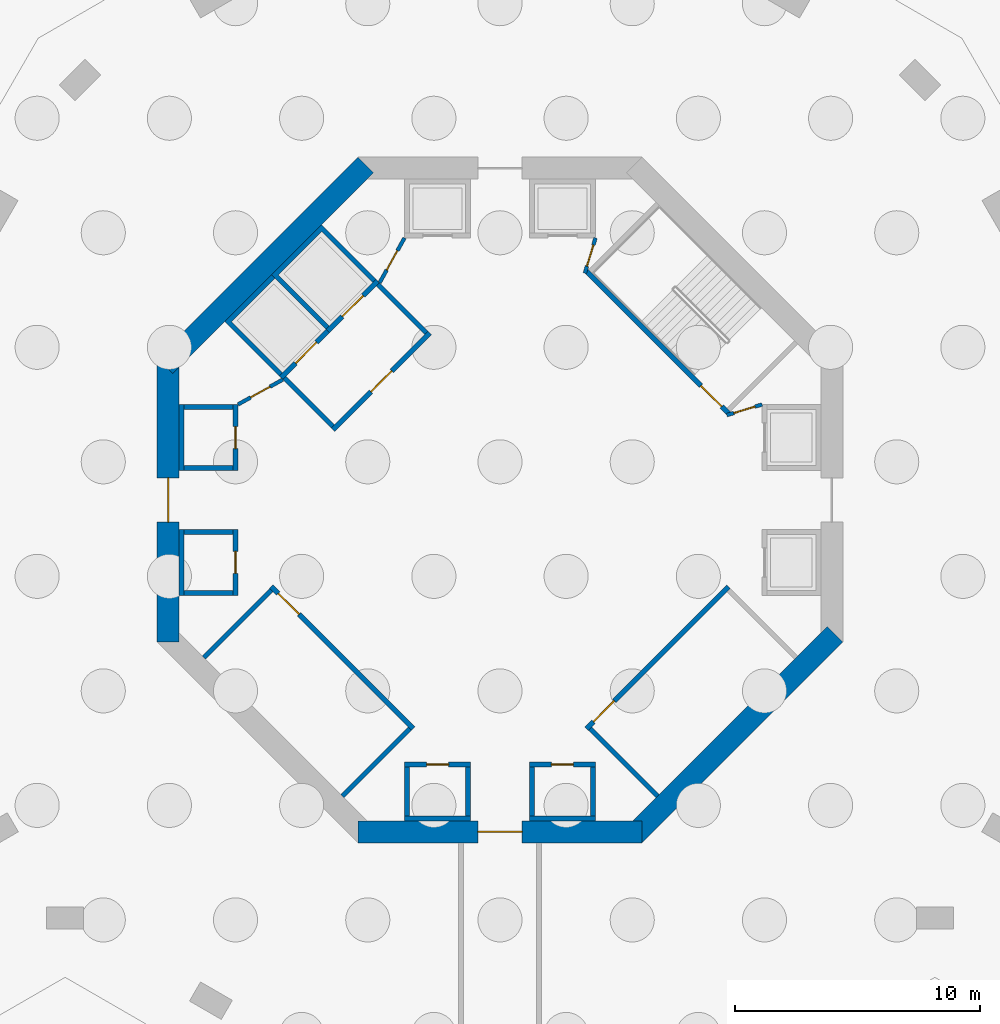
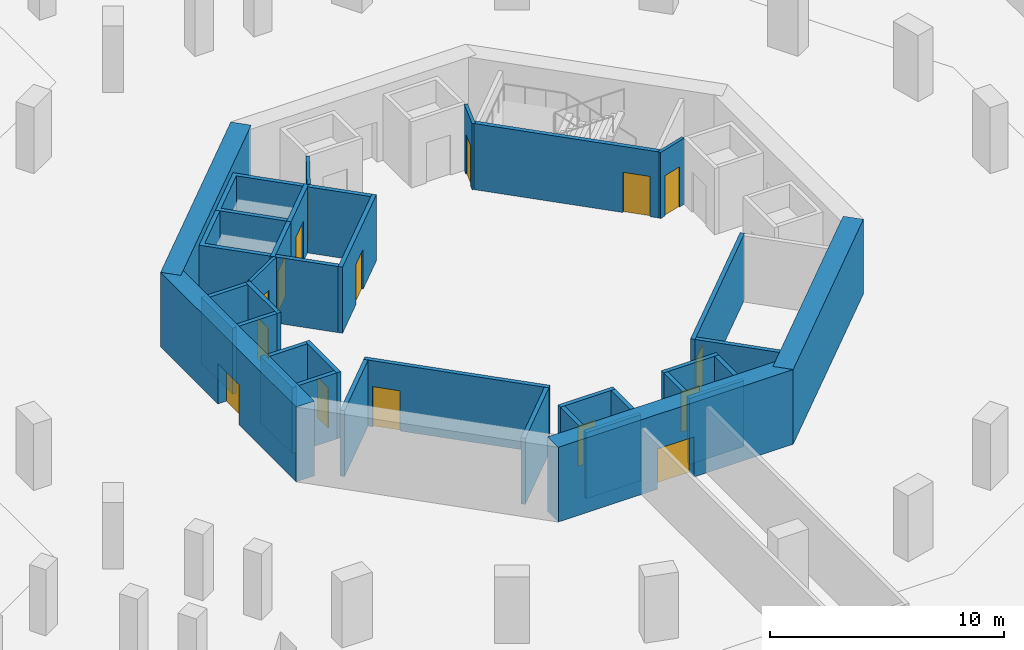
# One storey, part 8 of 27: 37 walls, 16 doors, 16 openings.
"""IFC4 building model written with IfcOpenShell, lengths in metres."""

import ifcopenshell
import ifcopenshell.guid

model = None  # the IFC model being written
_history = None  # IfcOwnerHistory: only IFC2X3 demands one
_inside = {}  # id of a spatial element -> (the spatial element, [elements in it])
_under = {}  # id of a project, library or spatial element -> (it, [spatial elements below it])
_declared = {}  # id of a project -> (the project, [libraries it declares])
_typed = {}  # id of a type object -> (the type object, [elements of that type])
_made_of = {}  # id of a material, layer set ... -> (it, [elements and type objects made of it])


def new_model(schema):
    """Start an empty IFC model of exactly this schema.

    Asked for "IFC4X3", IfcOpenShell would pick the latest addendum, in which some entities
    have other attributes; the version numbers below select the first issue.
    IFC2X3 requires an IfcOwnerHistory on every rooted entity: one is made here for all.
    """
    global model, _history
    if schema == "IFC4X3":
        model = ifcopenshell.file(schema_version=(4, 3, 0, 0))
    else:
        model = ifcopenshell.file(schema=schema)
    _inside.clear()
    _under.clear()
    _declared.clear()
    _typed.clear()
    _made_of.clear()
    _history = None
    if model.schema == "IFC2X3":
        org = make("IfcOrganization", Name="unknown")
        user = make(
            "IfcPersonAndOrganization",
            ThePerson=make("IfcPerson", FamilyName="unknown"),
            TheOrganization=org,
        )
        app = make(
            "IfcApplication",
            ApplicationDeveloper=org,
            Version="unknown",
            ApplicationFullName="unknown",
            ApplicationIdentifier="unknown",
        )
        _history = make(
            "IfcOwnerHistory",
            OwningUser=user,
            OwningApplication=app,
            ChangeAction="ADDED",
            CreationDate=0,
        )
    return model


def make(cls, **values):
    """One entity of the class cls with the attributes given. An attribute that is None is left unset."""
    return model.create_entity(
        cls, **{name: value for name, value in values.items() if value is not None}
    )


def rooted(cls, **values):
    """An entity with a GlobalId (a new one), such as an element, a storey or a relation."""
    return make(cls, GlobalId=ifcopenshell.guid.new(), OwnerHistory=_history, **values)


def si_unit(unit_type, name, prefix=None):
    """IfcSIUnit, for example si_unit("LENGTHUNIT", "METRE", prefix="MILLI")."""
    return make("IfcSIUnit", UnitType=unit_type, Prefix=prefix, Name=name)


def assignment(units):
    """IfcUnitAssignment: the units of a project."""
    return None if units is None else make("IfcUnitAssignment", Units=units)


def point(xyz):
    """IfcCartesianPoint."""
    return None if xyz is None else make("IfcCartesianPoint", Coordinates=xyz)


def direction(xyz):
    """IfcDirection."""
    return None if xyz is None else make("IfcDirection", DirectionRatios=xyz)


def frame(location, z_axis=None, x_axis=None):
    """IfcAxis2Placement3D, a coordinate frame: its origin and axes. An axis left out is left unset."""
    return make(
        "IfcAxis2Placement3D",
        Location=point(location),
        Axis=direction(z_axis),
        RefDirection=direction(x_axis),
    )


def frame_2d(location, x_axis=None):
    """IfcAxis2Placement2D, a coordinate frame in the plane: its origin and x axis."""
    return make(
        "IfcAxis2Placement2D", Location=point(location), RefDirection=direction(x_axis)
    )


def origin():
    """The frame at (0, 0, 0) with its axes left unset."""
    return frame((0.0, 0.0, 0.0))


def place(relative_to, where):
    """IfcLocalPlacement: puts the frame where relative to a parent placement (None: the world)."""
    return make(
        "IfcLocalPlacement", PlacementRelTo=relative_to, RelativePlacement=where
    )


def context(
    kind, dimensions, precision=None, world=None, true_north=None, identifier=None
):
    """IfcGeometricRepresentationContext, for example the 3D "Model" context."""
    return make(
        "IfcGeometricRepresentationContext",
        ContextIdentifier=identifier,
        ContextType=kind,
        CoordinateSpaceDimension=dimensions,
        Precision=precision,
        WorldCoordinateSystem=world,
        TrueNorth=true_north,
    )


def subcontext(parent, identifier, kind, view, scale=None):
    """IfcGeometricRepresentationSubContext, for example "Body" below "Model"."""
    return make(
        "IfcGeometricRepresentationSubContext",
        ContextIdentifier=identifier,
        ContextType=kind,
        ParentContext=parent,
        TargetScale=scale,
        TargetView=view,
    )


def project(units=None, contexts=None):
    """IfcProject with its units and contexts."""
    return rooted(
        "IfcProject",
        Name="project",
        RepresentationContexts=contexts,
        UnitsInContext=assignment(units),
    )


def spatial(cls, under=None, at=None, **own):
    """A site, building, storey or space (cls), placed at a placement, below another one or the project."""
    s = rooted(cls, ObjectPlacement=at, **own)
    if under is not None:
        _under.setdefault(under.id(), (under, []))[1].append(s)
    return s


def polyline(points):
    """IfcPolyline through the points."""
    return make("IfcPolyline", Points=[point(p) for p in points])


def profile(cls, at=None, kind="AREA", **sizes):
    """A parametric profile (cls). Its sizes go by their IFC names, for example OverallWidth=200.0."""
    return make(cls, ProfileType=kind, Position=at, **sizes)


def rectangle(**sizes):
    """IfcRectangleProfileDef."""
    return profile("IfcRectangleProfileDef", **sizes)


def outline(outer, holes=None, kind="AREA"):
    """IfcArbitraryClosedProfileDef: a profile drawn as a closed curve; with holes, ...WithVoids."""
    if holes is None:
        return make("IfcArbitraryClosedProfileDef", ProfileType=kind, OuterCurve=outer)
    return make(
        "IfcArbitraryProfileDefWithVoids",
        ProfileType=kind,
        OuterCurve=outer,
        InnerCurves=holes,
    )


def extrude(swept, where, along, depth):
    """IfcExtrudedAreaSolid: the profile swept, set in the frame where, extruded along a direction by depth."""
    return make(
        "IfcExtrudedAreaSolid",
        SweptArea=swept,
        Position=where,
        ExtrudedDirection=direction(along),
        Depth=depth,
    )


def shape(context_of_items, identifier, shape_type, items):
    """IfcShapeRepresentation: the items that make up one representation, for example the "Body"."""
    return make(
        "IfcShapeRepresentation",
        ContextOfItems=context_of_items,
        RepresentationIdentifier=identifier,
        RepresentationType=shape_type,
        Items=items,
    )


def material(Name=None, Category=None):
    """IfcMaterial."""
    return make("IfcMaterial", Name=Name, Category=Category)


def layer(
    of_material, thickness, ventilated=None, Name=None, Category=None, Priority=None
):
    """IfcMaterialLayer: one layer of a wall or slab, of a material (None: an air gap)."""
    return make(
        "IfcMaterialLayer",
        Material=of_material,
        LayerThickness=thickness,
        IsVentilated=ventilated,
        Name=Name,
        Category=Category,
        Priority=Priority,
    )


def layer_set(layers, Name=None):
    """IfcMaterialLayerSet."""
    return make("IfcMaterialLayerSet", MaterialLayers=layers, LayerSetName=Name)


def made_of(thing, what):
    """Note that an element or type object is made of a material, layer set ...; save() writes the relation."""
    if what is not None:
        _made_of.setdefault(what.id(), (what, []))[1].append(thing)
    return thing


def type_object(cls, material=None, **own):
    """A type object (cls), such as IfcWallType, which elements share."""
    return made_of(rooted(cls, **own), material)


def element(
    cls,
    number,
    at=None,
    inside=None,
    cuts=None,
    type_object=None,
    material=None,
    context=None,
    identifier="Body",
    shape_type=None,
    held_by="IfcProductDefinitionShape",
    body=None,
    shapes=None,
    **own,
):
    """One element of the class cls, such as IfcWall. Its Tag is "e" and its number.

    at: its placement. inside: the storey or other place that contains it. cuts: it is an
    opening in that element (IfcRelVoidsElement). A single representation is given by context,
    identifier, shape_type and body (its items); several are given by shapes. held_by: the class
    of the entity that holds the representations. save() writes the other relations.
    """
    e = rooted(cls, Tag="e%d" % number, ObjectPlacement=at, **own)
    if body is not None:
        shapes = [shape(context, identifier, shape_type, body)]
    if shapes is not None:
        e.Representation = make(held_by, Representations=shapes)
    if inside is not None:
        _inside.setdefault(inside.id(), (inside, []))[1].append(e)
    if cuts is not None:
        rooted(
            "IfcRelVoidsElement", RelatingBuildingElement=cuts, RelatedOpeningElement=e
        )
    if type_object is not None:
        _typed.setdefault(type_object.id(), (type_object, []))[1].append(e)
    return made_of(e, material)


def fill(opening, filler):
    """IfcRelFillsElement: the door or window that sits in an opening."""
    return rooted(
        "IfcRelFillsElement",
        RelatingOpeningElement=opening,
        RelatedBuildingElement=filler,
    )


def aggregate(whole, parts):
    """IfcRelAggregates: a whole, such as a stair, and the parts it consists of."""
    return rooted("IfcRelAggregates", RelatingObject=whole, RelatedObjects=parts)


def save(model, path):
    """Write the relations noted so far, then the file.

    IfcRelAggregates (storeys below a building ...), IfcRelContainedInSpatialStructure (elements
    in a storey), IfcRelDefinesByType, IfcRelAssociatesMaterial and IfcRelDeclares: one each for
    every whole, place, type object, material and project.
    """
    for whole, parts in _under.values():
        aggregate(whole, parts)
    for where, things in _inside.values():
        rooted(
            "IfcRelContainedInSpatialStructure",
            RelatedElements=things,
            RelatingStructure=where,
        )
    for kind, things in _typed.values():
        rooted("IfcRelDefinesByType", RelatedObjects=things, RelatingType=kind)
    for what, things in _made_of.values():
        rooted("IfcRelAssociatesMaterial", RelatedObjects=things, RelatingMaterial=what)
    for by, libraries in _declared.values():
        rooted("IfcRelDeclares", RelatingContext=by, RelatedDefinitions=libraries)
    model.write(path)


model = new_model("IFC4")

# Units and contexts
model_context = context("Model", 3, precision=1e-05, world=origin(), true_north=direction((0.0, 1.0)))
body_context = subcontext(model_context, "Body", "Model", "MODEL_VIEW")
ifc_project = project(units=[si_unit("LENGTHUNIT", "METRE"), si_unit("AREAUNIT", "SQUARE_METRE"), si_unit("VOLUMEUNIT", "CUBIC_METRE"), si_unit("PLANEANGLEUNIT", "RADIAN"), si_unit("MASSUNIT", "GRAM", prefix="KILO")], contexts=[model_context])

# Site, building, storey
site_placement = place(None, origin())
site = spatial("IfcSite", under=ifc_project, at=site_placement, CompositionType="ELEMENT")
building_placement = place(site_placement, origin())
building = spatial("IfcBuilding", under=site, at=building_placement, Name="Verdalira Terraces Hotel", CompositionType="ELEMENT")
storey_placement = place(building_placement, frame((0.0, 0.0, -11.699951)))
storey = spatial("IfcBuildingStorey", under=building, at=storey_placement, Name="B3", CompositionType="ELEMENT", Elevation=-11.699951171875)

# Walls
ifc_material_1 = material(Name="Concrete C50", Category="concrete")
ifc_layer_1 = layer(ifc_material_1, 0.199951171875)
ifc_layer_set_1 = layer_set([ifc_layer_1], Name="Core RC wall 200 C50")
wall_type_1 = type_object("IfcWallType", Name="Core RC wall 200 C50", PredefinedType="SOLIDWALL", material=ifc_layer_set_1)
wall_1_placement = place(storey_placement, origin())
element("IfcWall", 1, at=wall_1_placement, inside=storey, type_object=wall_type_1, Name="B3 store wall W1", PredefinedType="SOLIDWALL", context=body_context, shape_type="SweptSolid", body=[
    extrude(outline(polyline([(-10.899902, 1.199951), (-12.899902, 1.199951), (-12.899902, 1.399902), (-10.899902, 1.399902), (-10.899902, 1.199951)])), origin(), (0.0, 0.0, 1.0), 3.449951),
])
wall_2_placement = place(storey_placement, origin())
element("IfcWall", 2, at=wall_2_placement, inside=storey, type_object=wall_type_1, Name="B3 store wall W1", PredefinedType="SOLIDWALL", context=body_context, shape_type="SweptSolid", body=[
    extrude(outline(polyline([(-10.899902, 3.699951), (-12.899902, 3.699951), (-12.899902, 3.899902), (-10.899902, 3.899902), (-10.899902, 3.699951)])), origin(), (0.0, 0.0, 1.0), 3.449951),
])
wall_3_placement = place(storey_placement, origin())
element("IfcWall", 3, at=wall_3_placement, inside=storey, type_object=wall_type_1, Name="B3 store wall W1", PredefinedType="SOLIDWALL", context=body_context, shape_type="SweptSolid", body=[
    extrude(outline(polyline([(-12.899902, 1.199951), (-13.100098, 1.199951), (-13.100098, 3.899902), (-12.899902, 3.899902), (-12.899902, 1.199951)])), origin(), (0.0, 0.0, 1.0), 3.449951),
])

# Wall, opening, door
wall_4_placement = place(storey_placement, frame((-10.800049, 1.199951, 0.0), z_axis=(0.0, 0.0, 1.0), x_axis=(0.0, 1.0, 0.0)))
wall_4 = element("IfcWall", 4, at=wall_4_placement, inside=storey, type_object=wall_type_1, Name="B3 store front wall W1", PredefinedType="SOLIDWALL", context=body_context, shape_type="SweptSolid", body=[
    extrude(rectangle(XDim=2.699951, YDim=0.199951, at=frame_2d((1.350098, 0.0))), origin(), (0.0, 0.0, 1.0), 3.449951),
])
opening_1_placement = place(wall_4_placement, frame((0.899902, 0.0, 0.0)))
opening_1 = element("IfcOpeningElement", 5, at=opening_1_placement, cuts=wall_4, Name="Opening B3-801", PredefinedType="OPENING", context=body_context, shape_type="SweptSolid", body=[
    extrude(rectangle(XDim=0.899902, YDim=2.100098, at=frame_2d((0.449951, 1.050049))), frame((0.0, 0.109863, 0.0), z_axis=(0.0, -1.0, 0.0), x_axis=(1.0, 0.0, 0.0)), (0.0, 0.0, 1.0), 0.219971),
])
ifc_material_2 = material(Name="Steel fire door", Category="steel")
door_type_1 = type_object("IfcDoorType", Name="Core room door 900 x 2100", OperationType="NOTDEFINED", PredefinedType="DOOR", material=ifc_material_2)
door_1_placement = place(opening_1_placement, origin())
door_1 = element("IfcDoor", 6, at=door_1_placement, inside=storey, type_object=door_type_1, Name="Store door B3 W1", OperationType="SINGLE_SWING_LEFT", OverallHeight=2.10009765625, OverallWidth=0.89990234375, PredefinedType="DOOR", context=body_context, shape_type="SweptSolid", body=[
    extrude(rectangle(XDim=0.899902, YDim=2.100098, at=frame_2d((0.449951, 1.050049))), frame((0.0, 0.024902, 0.0), z_axis=(0.0, -1.0, 0.0), x_axis=(1.0, 0.0, 0.0)), (0.0, 0.0, 1.0), 0.050049),
])
fill(opening_1, door_1)

# Walls
wall_5_placement = place(storey_placement, origin())
element("IfcWall", 7, at=wall_5_placement, inside=storey, type_object=wall_type_1, Name="B3 store wall W2", PredefinedType="SOLIDWALL", context=body_context, shape_type="SweptSolid", body=[
    extrude(outline(polyline([(-10.899902, -1.199951), (-10.899902, -1.399902), (-12.899902, -1.399902), (-12.899902, -1.199951), (-10.899902, -1.199951)])), origin(), (0.0, 0.0, 1.0), 3.449951),
])
wall_6_placement = place(storey_placement, origin())
element("IfcWall", 8, at=wall_6_placement, inside=storey, type_object=wall_type_1, Name="B3 store wall W2", PredefinedType="SOLIDWALL", context=body_context, shape_type="SweptSolid", body=[
    extrude(outline(polyline([(-10.899902, -3.699951), (-10.899902, -3.899902), (-12.899902, -3.899902), (-12.899902, -3.699951), (-10.899902, -3.699951)])), origin(), (0.0, 0.0, 1.0), 3.449951),
])
wall_7_placement = place(storey_placement, origin())
element("IfcWall", 9, at=wall_7_placement, inside=storey, type_object=wall_type_1, Name="B3 store wall W2", PredefinedType="SOLIDWALL", context=body_context, shape_type="SweptSolid", body=[
    extrude(outline(polyline([(-12.899902, -1.199951), (-12.899902, -3.899902), (-13.100098, -3.899902), (-13.100098, -1.199951), (-12.899902, -1.199951)])), origin(), (0.0, 0.0, 1.0), 3.449951),
])

# Wall, opening, door
wall_8_placement = place(storey_placement, frame((-10.800049, -1.199951, 0.0), z_axis=(0.0, 0.0, 1.0), x_axis=(0.0, -1.0, 0.0)))
wall_8 = element("IfcWall", 10, at=wall_8_placement, inside=storey, type_object=wall_type_1, Name="B3 store front wall W2", PredefinedType="SOLIDWALL", context=body_context, shape_type="SweptSolid", body=[
    extrude(rectangle(XDim=2.699951, YDim=0.199951, at=frame_2d((1.350098, 0.0))), origin(), (0.0, 0.0, 1.0), 3.449951),
])
opening_2_placement = place(wall_8_placement, frame((0.899902, 0.0, 0.0)))
opening_2 = element("IfcOpeningElement", 11, at=opening_2_placement, cuts=wall_8, Name="Opening B3-802", PredefinedType="OPENING", context=body_context, shape_type="SweptSolid", body=[
    extrude(rectangle(XDim=0.899902, YDim=2.100098, at=frame_2d((0.449951, 1.050049))), frame((0.0, 0.109863, 0.0), z_axis=(0.0, -1.0, 0.0), x_axis=(1.0, 0.0, 0.0)), (0.0, 0.0, 1.0), 0.219971),
])
door_2_placement = place(opening_2_placement, origin())
door_2 = element("IfcDoor", 12, at=door_2_placement, inside=storey, type_object=door_type_1, Name="Store door B3 W2", OperationType="SINGLE_SWING_LEFT", OverallHeight=2.10009765625, OverallWidth=0.89990234375, PredefinedType="DOOR", context=body_context, shape_type="SweptSolid", body=[
    extrude(rectangle(XDim=0.899902, YDim=2.100098, at=frame_2d((0.449951, 1.050049))), frame((0.0, 0.024902, 0.0), z_axis=(0.0, -1.0, 0.0), x_axis=(1.0, 0.0, 0.0)), (0.0, 0.0, 1.0), 0.050049),
])
fill(opening_2, door_2)

# Walls
wall_9_placement = place(storey_placement, origin())
element("IfcWall", 13, at=wall_9_placement, inside=storey, type_object=wall_type_1, Name="B3 store wall S1", PredefinedType="SOLIDWALL", context=body_context, shape_type="SweptSolid", body=[
    extrude(outline(polyline([(-1.199951, -10.899902), (-1.199951, -12.899902), (-1.399902, -12.899902), (-1.399902, -10.899902), (-1.199951, -10.899902)])), origin(), (0.0, 0.0, 1.0), 3.449951),
])
wall_10_placement = place(storey_placement, origin())
element("IfcWall", 14, at=wall_10_placement, inside=storey, type_object=wall_type_1, Name="B3 store wall S1", PredefinedType="SOLIDWALL", context=body_context, shape_type="SweptSolid", body=[
    extrude(outline(polyline([(-3.699951, -10.899902), (-3.699951, -12.899902), (-3.899902, -12.899902), (-3.899902, -10.899902), (-3.699951, -10.899902)])), origin(), (0.0, 0.0, 1.0), 3.449951),
])
wall_11_placement = place(storey_placement, origin())
element("IfcWall", 15, at=wall_11_placement, inside=storey, type_object=wall_type_1, Name="B3 store wall S1", PredefinedType="SOLIDWALL", context=body_context, shape_type="SweptSolid", body=[
    extrude(outline(polyline([(-1.199951, -12.899902), (-1.199951, -13.100098), (-3.899902, -13.100098), (-3.899902, -12.899902), (-1.199951, -12.899902)])), origin(), (0.0, 0.0, 1.0), 3.449951),
])

# Wall, opening, door
wall_12_placement = place(storey_placement, frame((-1.199951, -10.800049, 0.0), z_axis=(0.0, 0.0, 1.0), x_axis=(-1.0, 0.0, 0.0)))
wall_12 = element("IfcWall", 16, at=wall_12_placement, inside=storey, type_object=wall_type_1, Name="B3 store front wall S1", PredefinedType="SOLIDWALL", context=body_context, shape_type="SweptSolid", body=[
    extrude(rectangle(XDim=2.699951, YDim=0.199951, at=frame_2d((1.350098, 0.0))), origin(), (0.0, 0.0, 1.0), 3.449951),
])
opening_3_placement = place(wall_12_placement, frame((0.899902, 0.0, 0.0)))
opening_3 = element("IfcOpeningElement", 17, at=opening_3_placement, cuts=wall_12, Name="Opening B3-803", PredefinedType="OPENING", context=body_context, shape_type="SweptSolid", body=[
    extrude(rectangle(XDim=0.899902, YDim=2.100098, at=frame_2d((0.449951, 1.050049))), frame((0.0, 0.109863, 0.0), z_axis=(0.0, -1.0, 0.0), x_axis=(1.0, 0.0, 0.0)), (0.0, 0.0, 1.0), 0.219971),
])
door_3_placement = place(opening_3_placement, origin())
door_3 = element("IfcDoor", 18, at=door_3_placement, inside=storey, type_object=door_type_1, Name="Store door B3 S1", OperationType="SINGLE_SWING_LEFT", OverallHeight=2.10009765625, OverallWidth=0.89990234375, PredefinedType="DOOR", context=body_context, shape_type="SweptSolid", body=[
    extrude(rectangle(XDim=0.899902, YDim=2.100098, at=frame_2d((0.449951, 1.050049))), frame((0.0, 0.024902, 0.0), z_axis=(0.0, -1.0, 0.0), x_axis=(1.0, 0.0, 0.0)), (0.0, 0.0, 1.0), 0.050049),
])
fill(opening_3, door_3)

# Walls
wall_13_placement = place(storey_placement, origin())
element("IfcWall", 19, at=wall_13_placement, inside=storey, type_object=wall_type_1, Name="B3 store wall S2", PredefinedType="SOLIDWALL", context=body_context, shape_type="SweptSolid", body=[
    extrude(outline(polyline([(1.199951, -10.899902), (1.399902, -10.899902), (1.399902, -12.899902), (1.199951, -12.899902), (1.199951, -10.899902)])), origin(), (0.0, 0.0, 1.0), 3.449951),
])
wall_14_placement = place(storey_placement, origin())
element("IfcWall", 20, at=wall_14_placement, inside=storey, type_object=wall_type_1, Name="B3 store wall S2", PredefinedType="SOLIDWALL", context=body_context, shape_type="SweptSolid", body=[
    extrude(outline(polyline([(3.699951, -10.899902), (3.899902, -10.899902), (3.899902, -12.899902), (3.699951, -12.899902), (3.699951, -10.899902)])), origin(), (0.0, 0.0, 1.0), 3.449951),
])
wall_15_placement = place(storey_placement, origin())
element("IfcWall", 21, at=wall_15_placement, inside=storey, type_object=wall_type_1, Name="B3 store wall S2", PredefinedType="SOLIDWALL", context=body_context, shape_type="SweptSolid", body=[
    extrude(outline(polyline([(1.199951, -12.899902), (3.899902, -12.899902), (3.899902, -13.100098), (1.199951, -13.100098), (1.199951, -12.899902)])), origin(), (0.0, 0.0, 1.0), 3.449951),
])

# Wall, opening, door
wall_16_placement = place(storey_placement, frame((1.199951, -10.800049, 0.0), z_axis=(0.0, 0.0, 1.0), x_axis=(1.0, 0.0, 0.0)))
wall_16 = element("IfcWall", 22, at=wall_16_placement, inside=storey, type_object=wall_type_1, Name="B3 store front wall S2", PredefinedType="SOLIDWALL", context=body_context, shape_type="SweptSolid", body=[
    extrude(rectangle(XDim=2.699951, YDim=0.199951, at=frame_2d((1.350098, 0.0))), origin(), (0.0, 0.0, 1.0), 3.449951),
])
opening_4_placement = place(wall_16_placement, frame((0.899902, 0.0, 0.0)))
opening_4 = element("IfcOpeningElement", 23, at=opening_4_placement, cuts=wall_16, Name="Opening B3-804", PredefinedType="OPENING", context=body_context, shape_type="SweptSolid", body=[
    extrude(rectangle(XDim=0.899902, YDim=2.100098, at=frame_2d((0.449951, 1.050049))), frame((0.0, 0.109863, 0.0), z_axis=(0.0, -1.0, 0.0), x_axis=(1.0, 0.0, 0.0)), (0.0, 0.0, 1.0), 0.219971),
])
door_4_placement = place(opening_4_placement, origin())
door_4 = element("IfcDoor", 24, at=door_4_placement, inside=storey, type_object=door_type_1, Name="Store door B3 S2", OperationType="SINGLE_SWING_LEFT", OverallHeight=2.10009765625, OverallWidth=0.89990234375, PredefinedType="DOOR", context=body_context, shape_type="SweptSolid", body=[
    extrude(rectangle(XDim=0.899902, YDim=2.100098, at=frame_2d((0.449951, 1.050049))), frame((0.0, 0.024902, 0.0), z_axis=(0.0, -1.0, 0.0), x_axis=(1.0, 0.0, 0.0)), (0.0, 0.0, 1.0), 0.050049),
])
fill(opening_4, door_4)

# Wall
wall_17_placement = place(storey_placement, origin())
element("IfcWall", 25, at=wall_17_placement, inside=storey, type_object=wall_type_1, Name="B3 shaft wall F1", PredefinedType="SOLIDWALL", context=body_context, shape_type="SweptSolid", body=[
    extrude(outline(polyline([(-9.33374, 9.192383), (-7.283203, 11.24292), (-5.055908, 9.015625), (-5.197266, 8.874268), (-7.283203, 10.960205), (-9.051025, 9.192383), (-6.965088, 7.106445), (-7.106445, 6.965088), (-9.33374, 9.192383)])), origin(), (0.0, 0.0, 1.0), 3.449951),
])

# Wall, opening, door
wall_18_placement = place(storey_placement, frame((-4.985107, 8.944824, 0.0), z_axis=(0.0, 0.0, 1.0), x_axis=(-0.707106781, -0.707106781, 0.0)))
wall_18 = element("IfcWall", 26, at=wall_18_placement, inside=storey, type_object=wall_type_1, Name="B3 shaft front wall F1", PredefinedType="SOLIDWALL", context=body_context, shape_type="SweptSolid", body=[
    extrude(rectangle(XDim=2.899902, YDim=0.199951, at=frame_2d((1.449951, 0.0))), origin(), (0.0, 0.0, 1.0), 3.449951),
])
opening_5_placement = place(wall_18_placement, frame((0.850098, 0.0, 0.0)))
opening_5 = element("IfcOpeningElement", 27, at=opening_5_placement, cuts=wall_18, Name="Opening LD-B3-809", PredefinedType="OPENING", context=body_context, shape_type="SweptSolid", body=[
    extrude(rectangle(XDim=1.199951, YDim=2.100098, at=frame_2d((0.600098, 1.050049))), frame((0.0, 0.109863, 0.0), z_axis=(0.0, -1.0, 0.0), x_axis=(1.0, 0.0, 0.0)), (0.0, 0.0, 1.0), 0.219971),
])
ifc_material_3 = material(Name="Stainless steel", Category="steel")
door_type_2 = type_object("IfcDoorType", Name="Landing door 1200 x 2100", OperationType="NOTDEFINED", PredefinedType="DOOR", material=ifc_material_3)
door_5_placement = place(opening_5_placement, origin())
door_5 = element("IfcDoor", 28, at=door_5_placement, inside=storey, type_object=door_type_2, Name="Lift landing door LF11 B3", OperationType="DOUBLE_DOOR_SLIDING", OverallHeight=2.10009765625, OverallWidth=1.199951171875, PredefinedType="DOOR", context=body_context, shape_type="SweptSolid", body=[
    extrude(rectangle(XDim=1.199951, YDim=2.100098, at=frame_2d((0.600098, 1.050049))), frame((0.0, 0.024902, 0.0), z_axis=(0.0, -1.0, 0.0), x_axis=(1.0, 0.0, 0.0)), (0.0, 0.0, 1.0), 0.050049),
])
fill(opening_5, door_5)

# Wall
wall_19_placement = place(storey_placement, origin())
element("IfcWall", 29, at=wall_19_placement, inside=storey, type_object=wall_type_1, Name="B3 shaft wall F2", PredefinedType="SOLIDWALL", context=body_context, shape_type="SweptSolid", body=[
    extrude(outline(polyline([(-11.24292, 7.283203), (-9.33374, 9.192383), (-9.192383, 9.051025), (-10.960205, 7.283203), (-8.874268, 5.197266), (-9.015625, 5.055908), (-11.24292, 7.283203)])), origin(), (0.0, 0.0, 1.0), 3.449951),
])

# Wall, opening, door
wall_20_placement = place(storey_placement, frame((-7.035645, 6.894287, 0.0), z_axis=(0.0, 0.0, 1.0), x_axis=(-0.707106781, -0.707106781, 0.0)))
wall_20 = element("IfcWall", 30, at=wall_20_placement, inside=storey, type_object=wall_type_1, Name="B3 shaft front wall F2", PredefinedType="SOLIDWALL", context=body_context, shape_type="SweptSolid", body=[
    extrude(rectangle(XDim=2.699951, YDim=0.199951, at=frame_2d((1.350098, 0.0))), origin(), (0.0, 0.0, 1.0), 3.449951),
])
opening_6_placement = place(wall_20_placement, frame((0.649902, 0.0, 0.0)))
opening_6 = element("IfcOpeningElement", 31, at=opening_6_placement, cuts=wall_20, Name="Opening LD-B3-810", PredefinedType="OPENING", context=body_context, shape_type="SweptSolid", body=[
    extrude(rectangle(XDim=1.199951, YDim=2.100098, at=frame_2d((0.600098, 1.050049))), frame((0.0, 0.109863, 0.0), z_axis=(0.0, -1.0, 0.0), x_axis=(1.0, 0.0, 0.0)), (0.0, 0.0, 1.0), 0.219971),
])
door_6_placement = place(opening_6_placement, origin())
door_6 = element("IfcDoor", 32, at=door_6_placement, inside=storey, type_object=door_type_2, Name="Lift landing door LF12 B3", OperationType="DOUBLE_DOOR_SLIDING", OverallHeight=2.10009765625, OverallWidth=1.199951171875, PredefinedType="DOOR", context=body_context, shape_type="SweptSolid", body=[
    extrude(rectangle(XDim=1.199951, YDim=2.100098, at=frame_2d((0.600098, 1.050049))), frame((0.0, 0.024902, 0.0), z_axis=(0.0, -1.0, 0.0), x_axis=(1.0, 0.0, 0.0)), (0.0, 0.0, 1.0), 0.050049),
])
fill(opening_6, door_6)

wall_21_placement = place(storey_placement, frame((3.5354, 9.33374, 0.0), z_axis=(0.0, 0.0, 1.0), x_axis=(0.707106781, -0.707106781, 0.0)))
wall_21 = element("IfcWall", 33, at=wall_21_placement, inside=storey, type_object=wall_type_1, Name="B3 stair ST1 front wall", PredefinedType="SOLIDWALL", context=body_context, shape_type="SweptSolid", body=[
    extrude(rectangle(XDim=8.200195, YDim=0.199951, at=frame_2d((4.100098, 0.0))), origin(), (0.0, 0.0, 1.0), 3.449951),
])
opening_7_placement = place(wall_21_placement, frame((6.600098, 0.0, 0.0)))
opening_7 = element("IfcOpeningElement", 34, at=opening_7_placement, cuts=wall_21, Name="Opening B3-811", PredefinedType="OPENING", context=body_context, shape_type="SweptSolid", body=[
    extrude(rectangle(XDim=1.199951, YDim=2.100098, at=frame_2d((0.600098, 1.050049))), frame((0.0, 0.109863, 0.0), z_axis=(0.0, -1.0, 0.0), x_axis=(1.0, 0.0, 0.0)), (0.0, 0.0, 1.0), 0.219971),
])
ifc_material_4 = material(Name="Steel fire door", Category="steel")
door_type_3 = type_object("IfcDoorType", Name="Stair door 1200 x 2100", OperationType="NOTDEFINED", PredefinedType="DOOR", material=ifc_material_4)
door_7_placement = place(opening_7_placement, origin())
door_7 = element("IfcDoor", 35, at=door_7_placement, inside=storey, type_object=door_type_3, Name="Stair door ST1 B3", OperationType="SINGLE_SWING_RIGHT", OverallHeight=2.10009765625, OverallWidth=1.199951171875, PredefinedType="DOOR", context=body_context, shape_type="SweptSolid", body=[
    extrude(rectangle(XDim=1.199951, YDim=2.100098, at=frame_2d((0.600098, 1.050049))), frame((0.0, 0.024902, 0.0), z_axis=(0.0, -1.0, 0.0), x_axis=(1.0, 0.0, 0.0)), (0.0, 0.0, 1.0), 0.050049),
])
fill(opening_7, door_7)

wall_22_placement = place(storey_placement, frame((-3.5354, -9.33374, 0.0), z_axis=(0.0, 0.0, 1.0), x_axis=(-0.707106781, 0.707106781, 0.0)))
wall_22 = element("IfcWall", 36, at=wall_22_placement, inside=storey, type_object=wall_type_1, Name="B3 ST2 plant room wall", PredefinedType="SOLIDWALL", context=body_context, shape_type="SweptSolid", body=[
    extrude(rectangle(XDim=8.200195, YDim=0.199951, at=frame_2d((4.100098, 0.0))), origin(), (0.0, 0.0, 1.0), 3.449951),
])
opening_8_placement = place(wall_22_placement, frame((6.600098, 0.0, 0.0)))
opening_8 = element("IfcOpeningElement", 37, at=opening_8_placement, cuts=wall_22, Name="Opening B3-812", PredefinedType="OPENING", context=body_context, shape_type="SweptSolid", body=[
    extrude(rectangle(XDim=1.199951, YDim=2.100098, at=frame_2d((0.600098, 1.050049))), frame((0.0, 0.109863, 0.0), z_axis=(0.0, -1.0, 0.0), x_axis=(1.0, 0.0, 0.0)), (0.0, 0.0, 1.0), 0.219971),
])
door_8_placement = place(opening_8_placement, origin())
door_8 = element("IfcDoor", 38, at=door_8_placement, inside=storey, type_object=door_type_1, Name="Plant room door B3 ST2", OperationType="SINGLE_SWING_RIGHT", OverallHeight=2.10009765625, OverallWidth=1.199951171875, PredefinedType="DOOR", context=body_context, shape_type="SweptSolid", body=[
    extrude(rectangle(XDim=1.199951, YDim=2.100098, at=frame_2d((0.600098, 1.050049))), frame((0.0, 0.024902, 0.0), z_axis=(0.0, -1.0, 0.0), x_axis=(1.0, 0.0, 0.0)), (0.0, 0.0, 1.0), 0.050049),
])
fill(opening_8, door_8)

# Walls
for number, where, z_axis, x_axis, name in (
    (39, (-9.33374, -3.677002, 0.0), (0.0, 0.0, 1.0), (-0.707106781, -0.707106781, 0.0), "B3 ST2 plant room wall"),
    (40, (-3.677002, -9.33374, 0.0), (0.0, 0.0, 1.0), (-0.707106781, -0.707106781, 0.0), "B3 ST2 plant room wall"),
):
    element("IfcWall", number, at=place(storey_placement, frame(where, z_axis=z_axis, x_axis=x_axis)), inside=storey, type_object=wall_type_1, Name=name, PredefinedType="SOLIDWALL", context=body_context, shape_type="SweptSolid", body=[
        extrude(rectangle(XDim=3.900146, YDim=0.199951, at=frame_2d((1.950195, 0.0))), origin(), (0.0, 0.0, 1.0), 3.449951),
    ])

# Wall, opening, door
wall_23_placement = place(storey_placement, frame((9.33374, -3.5354, 0.0), z_axis=(0.0, 0.0, 1.0), x_axis=(-0.707106781, -0.707106781, 0.0)))
wall_23 = element("IfcWall", 41, at=wall_23_placement, inside=storey, type_object=wall_type_1, Name="B3 ST3 plant room wall", PredefinedType="SOLIDWALL", context=body_context, shape_type="SweptSolid", body=[
    extrude(rectangle(XDim=8.200195, YDim=0.199951, at=frame_2d((4.100098, 0.0))), origin(), (0.0, 0.0, 1.0), 3.449951),
])
opening_9_placement = place(wall_23_placement, frame((6.600098, 0.0, 0.0)))
opening_9 = element("IfcOpeningElement", 42, at=opening_9_placement, cuts=wall_23, Name="Opening B3-813", PredefinedType="OPENING", context=body_context, shape_type="SweptSolid", body=[
    extrude(rectangle(XDim=1.199951, YDim=2.100098, at=frame_2d((0.600098, 1.050049))), frame((0.0, 0.109863, 0.0), z_axis=(0.0, -1.0, 0.0), x_axis=(1.0, 0.0, 0.0)), (0.0, 0.0, 1.0), 0.219971),
])
door_9_placement = place(opening_9_placement, origin())
door_9 = element("IfcDoor", 43, at=door_9_placement, inside=storey, type_object=door_type_1, Name="Plant room door B3 ST3", OperationType="SINGLE_SWING_RIGHT", OverallHeight=2.10009765625, OverallWidth=1.199951171875, PredefinedType="DOOR", context=body_context, shape_type="SweptSolid", body=[
    extrude(rectangle(XDim=1.199951, YDim=2.100098, at=frame_2d((0.600098, 1.050049))), frame((0.0, 0.024902, 0.0), z_axis=(0.0, -1.0, 0.0), x_axis=(1.0, 0.0, 0.0)), (0.0, 0.0, 1.0), 0.050049),
])
fill(opening_9, door_9)

# Wall
wall_24_placement = place(storey_placement, frame((3.677002, -9.33374, 0.0), z_axis=(0.0, 0.0, 1.0), x_axis=(0.707106781, -0.707106781, 0.0)))
element("IfcWall", 44, at=wall_24_placement, inside=storey, type_object=wall_type_1, Name="B3 ST3 plant room wall", PredefinedType="SOLIDWALL", context=body_context, shape_type="SweptSolid", body=[
    extrude(rectangle(XDim=3.900146, YDim=0.199951, at=frame_2d((1.950195, 0.0))), origin(), (0.0, 0.0, 1.0), 3.449951),
])

# Wall, opening, door
wall_25_placement = place(storey_placement, frame((-2.86377, 6.823486, 0.0), z_axis=(0.0, 0.0, 1.0), x_axis=(-0.707106781, -0.707106781, 0.0)))
wall_25 = element("IfcWall", 45, at=wall_25_placement, inside=storey, type_object=wall_type_1, Name="B3 fire lobby wall", PredefinedType="SOLIDWALL", context=body_context, shape_type="SweptSolid", body=[
    extrude(rectangle(XDim=5.599854, YDim=0.199951, at=frame_2d((2.799805, 0.0))), origin(), (0.0, 0.0, 1.0), 3.449951),
])
opening_10_placement = place(wall_25_placement, frame((2.199951, 0.0, 0.0)))
opening_10 = element("IfcOpeningElement", 46, at=opening_10_placement, cuts=wall_25, Name="Opening B3-818", PredefinedType="OPENING", context=body_context, shape_type="SweptSolid", body=[
    extrude(rectangle(XDim=1.199951, YDim=2.100098, at=frame_2d((0.600098, 1.050049))), frame((0.0, 0.109863, 0.0), z_axis=(0.0, -1.0, 0.0), x_axis=(1.0, 0.0, 0.0)), (0.0, 0.0, 1.0), 0.219971),
])
ifc_material_5 = material(Name="Steel fire door", Category="steel")
door_type_4 = type_object("IfcDoorType", Name="Lobby door 1200 x 2100", OperationType="NOTDEFINED", PredefinedType="DOOR", material=ifc_material_5)
door_10_placement = place(opening_10_placement, origin())
door_10 = element("IfcDoor", 47, at=door_10_placement, inside=storey, type_object=door_type_4, Name="Fire lobby door B3", OperationType="SINGLE_SWING_LEFT", OverallHeight=2.10009765625, OverallWidth=1.199951171875, PredefinedType="DOOR", context=body_context, shape_type="SweptSolid", body=[
    extrude(rectangle(XDim=1.199951, YDim=2.100098, at=frame_2d((0.600098, 1.050049))), frame((0.0, 0.024902, 0.0), z_axis=(0.0, -1.0, 0.0), x_axis=(1.0, 0.0, 0.0)), (0.0, 0.0, 1.0), 0.050049),
])
fill(opening_10, door_10)

# Walls
for number, where, z_axis, x_axis, name in (
    (48, (-3.005127, 6.823486, 0.0), (0.0, 0.0, 1.0), (-0.707106781, 0.707106781, 0.0), "B3 fire lobby wall"),
    (49, (-6.823486, 3.005127, 0.0), (0.0, 0.0, 1.0), (-0.707106781, 0.707106781, 0.0), "B3 fire lobby wall"),
):
    element("IfcWall", number, at=place(storey_placement, frame(where, z_axis=z_axis, x_axis=x_axis)), inside=storey, type_object=wall_type_1, Name=name, PredefinedType="SOLIDWALL", context=body_context, shape_type="SweptSolid", body=[
        extrude(rectangle(XDim=2.800049, YDim=0.199951, at=frame_2d((1.399902, 0.0))), origin(), (0.0, 0.0, 1.0), 3.449951),
    ])

# Wall, opening, door
ifc_material_6 = material(Name="Gypsum board partition")
ifc_layer_2 = layer(ifc_material_6, 0.14990234375)
ifc_layer_set_2 = layer_set([ifc_layer_2], Name="Core partition 150 mm")
wall_type_2 = type_object("IfcWallType", Name="Core partition 150 mm", PredefinedType="PARTITIONING", material=ifc_layer_set_2)
wall_26_placement = place(storey_placement, frame((10.699951, 3.899902, 0.0), z_axis=(0.0, 0.0, 1.0), x_axis=(-0.957084567, -0.289808785, 0.0)))
wall_26 = element("IfcWall", 50, at=wall_26_placement, inside=storey, type_object=wall_type_2, Name="Room partition B3", PredefinedType="PARTITIONING", context=body_context, shape_type="SweptSolid", body=[
    extrude(rectangle(XDim=1.501221, YDim=0.149902, at=frame_2d((0.750488, 0.0))), origin(), (0.0, 0.0, 1.0), 3.449951),
])
opening_11_placement = place(wall_26_placement, frame((0.300781, 0.0, 0.0)))
opening_11 = element("IfcOpeningElement", 51, at=opening_11_placement, cuts=wall_26, Name="Opening B3-819", PredefinedType="OPENING", context=body_context, shape_type="SweptSolid", body=[
    extrude(rectangle(XDim=0.899902, YDim=2.100098, at=frame_2d((0.449951, 1.050049))), frame((0.0, 0.084961, 0.0), z_axis=(0.0, -1.0, 0.0), x_axis=(1.0, 0.0, 0.0)), (0.0, 0.0, 1.0), 0.169922),
])
door_11_placement = place(opening_11_placement, origin())
door_11 = element("IfcDoor", 52, at=door_11_placement, inside=storey, type_object=door_type_1, Name="Door B3 room0", OperationType="SINGLE_SWING_LEFT", OverallHeight=2.10009765625, OverallWidth=0.89990234375, PredefinedType="DOOR", context=body_context, shape_type="SweptSolid", body=[
    extrude(rectangle(XDim=0.899902, YDim=2.100098, at=frame_2d((0.449951, 1.050049))), frame((0.0, 0.024902, 0.0), z_axis=(0.0, -1.0, 0.0), x_axis=(1.0, 0.0, 0.0)), (0.0, 0.0, 1.0), 0.050049),
])
fill(opening_11, door_11)

wall_27_placement = place(storey_placement, frame((3.464844, 9.263184, 0.0), z_axis=(0.0, 0.0, 1.0), x_axis=(0.289808785, 0.957084567, 0.0)))
wall_27 = element("IfcWall", 53, at=wall_27_placement, inside=storey, type_object=wall_type_2, Name="Room partition B3", PredefinedType="PARTITIONING", context=body_context, shape_type="SweptSolid", body=[
    extrude(rectangle(XDim=1.501221, YDim=0.149902, at=frame_2d((0.750488, 0.0))), origin(), (0.0, 0.0, 1.0), 3.449951),
])
opening_12_placement = place(wall_27_placement, frame((0.300781, 0.0, 0.0)))
opening_12 = element("IfcOpeningElement", 54, at=opening_12_placement, cuts=wall_27, Name="Opening B3-820", PredefinedType="OPENING", context=body_context, shape_type="SweptSolid", body=[
    extrude(rectangle(XDim=0.899902, YDim=2.100098, at=frame_2d((0.449951, 1.050049))), frame((0.0, 0.084961, 0.0), z_axis=(0.0, -1.0, 0.0), x_axis=(1.0, 0.0, 0.0)), (0.0, 0.0, 1.0), 0.169922),
])
door_12_placement = place(opening_12_placement, origin())
door_12 = element("IfcDoor", 55, at=door_12_placement, inside=storey, type_object=door_type_1, Name="Door B3 room1", OperationType="SINGLE_SWING_LEFT", OverallHeight=2.10009765625, OverallWidth=0.89990234375, PredefinedType="DOOR", context=body_context, shape_type="SweptSolid", body=[
    extrude(rectangle(XDim=0.899902, YDim=2.100098, at=frame_2d((0.449951, 1.050049))), frame((0.0, 0.024902, 0.0), z_axis=(0.0, -1.0, 0.0), x_axis=(1.0, 0.0, 0.0)), (0.0, 0.0, 1.0), 0.050049),
])
fill(opening_12, door_12)

wall_28_placement = place(storey_placement, frame((-3.899902, 10.699951, 0.0), z_axis=(0.0, 0.0, 1.0), x_axis=(-0.485692555, -0.874129705, 0.0)))
wall_28 = element("IfcWall", 56, at=wall_28_placement, inside=storey, type_object=wall_type_2, Name="Room partition B3", PredefinedType="PARTITIONING", context=body_context, shape_type="SweptSolid", body=[
    extrude(rectangle(XDim=2.088623, YDim=0.149902, at=frame_2d((1.044434, 0.0))), origin(), (0.0, 0.0, 1.0), 3.449951),
])
opening_13_placement = place(wall_28_placement, frame((0.594238, 0.0, 0.0)))
opening_13 = element("IfcOpeningElement", 57, at=opening_13_placement, cuts=wall_28, Name="Opening B3-821", PredefinedType="OPENING", context=body_context, shape_type="SweptSolid", body=[
    extrude(rectangle(XDim=0.899902, YDim=2.100098, at=frame_2d((0.449951, 1.050049))), frame((0.0, 0.084961, 0.0), z_axis=(0.0, -1.0, 0.0), x_axis=(1.0, 0.0, 0.0)), (0.0, 0.0, 1.0), 0.169922),
])
door_13_placement = place(opening_13_placement, origin())
door_13 = element("IfcDoor", 58, at=door_13_placement, inside=storey, type_object=door_type_1, Name="Door B3 room2", OperationType="SINGLE_SWING_LEFT", OverallHeight=2.10009765625, OverallWidth=0.89990234375, PredefinedType="DOOR", context=body_context, shape_type="SweptSolid", body=[
    extrude(rectangle(XDim=0.899902, YDim=2.100098, at=frame_2d((0.449951, 1.050049))), frame((0.0, 0.024902, 0.0), z_axis=(0.0, -1.0, 0.0), x_axis=(1.0, 0.0, 0.0)), (0.0, 0.0, 1.0), 0.050049),
])
fill(opening_13, door_13)

wall_29_placement = place(storey_placement, frame((-8.874268, 4.914307, 0.0), z_axis=(0.0, 0.0, 1.0), x_axis=(-0.874129705, -0.485692555, 0.0)))
wall_29 = element("IfcWall", 59, at=wall_29_placement, inside=storey, type_object=wall_type_2, Name="Room partition B3", PredefinedType="PARTITIONING", context=body_context, shape_type="SweptSolid", body=[
    extrude(rectangle(XDim=2.088623, YDim=0.149902, at=frame_2d((1.044434, 0.0))), origin(), (0.0, 0.0, 1.0), 3.449951),
])
opening_14_placement = place(wall_29_placement, frame((0.594238, 0.0, 0.0)))
opening_14 = element("IfcOpeningElement", 60, at=opening_14_placement, cuts=wall_29, Name="Opening B3-822", PredefinedType="OPENING", context=body_context, shape_type="SweptSolid", body=[
    extrude(rectangle(XDim=0.899902, YDim=2.100098, at=frame_2d((0.449951, 1.050049))), frame((0.0, 0.084961, 0.0), z_axis=(0.0, -1.0, 0.0), x_axis=(1.0, 0.0, 0.0)), (0.0, 0.0, 1.0), 0.169922),
])
door_14_placement = place(opening_14_placement, origin())
door_14 = element("IfcDoor", 61, at=door_14_placement, inside=storey, type_object=door_type_1, Name="Door B3 room3", OperationType="SINGLE_SWING_LEFT", OverallHeight=2.10009765625, OverallWidth=0.89990234375, PredefinedType="DOOR", context=body_context, shape_type="SweptSolid", body=[
    extrude(rectangle(XDim=0.899902, YDim=2.100098, at=frame_2d((0.449951, 1.050049))), frame((0.0, 0.024902, 0.0), z_axis=(0.0, -1.0, 0.0), x_axis=(1.0, 0.0, 0.0)), (0.0, 0.0, 1.0), 0.050049),
])
fill(opening_14, door_14)

# Wall
ifc_material_7 = material(Name="Concrete C70", Category="concrete")
ifc_layer_3 = layer(ifc_material_7, 0.89990234375)
ifc_layer_set_3 = layer_set([ifc_layer_3], Name="Core wall 900 C70")
wall_type_3 = type_object("IfcWallType", Name="Core wall 900 C70", PredefinedType="SHEAR", material=ifc_layer_set_3)
wall_30_placement = place(storey_placement, frame((-5.480713, 13.681885, 0.0), z_axis=(0.0, 0.0, 1.0), x_axis=(-0.707106781, -0.707106781, 0.0)))
element("IfcWall", 62, at=wall_30_placement, inside=storey, type_object=wall_type_3, Name="Core wall CW-B3-4", PredefinedType="SHEAR", context=body_context, shape_type="SweptSolid", body=[
    extrude(rectangle(XDim=11.598145, YDim=0.899902, at=frame_2d((5.799072, 0.0))), origin(), (0.0, 0.0, 1.0), 3.899902),
])

# Wall, opening, door
wall_31_placement = place(storey_placement, frame((-13.550049, 5.799072, 0.0), z_axis=(0.0, 0.0, 1.0), x_axis=(0.0, -1.0, 0.0)))
wall_31 = element("IfcWall", 63, at=wall_31_placement, inside=storey, type_object=wall_type_3, Name="Core wall CW-B3-5", PredefinedType="SHEAR", context=body_context, shape_type="SweptSolid", body=[
    extrude(rectangle(XDim=11.598145, YDim=0.899902, at=frame_2d((5.799072, 0.0))), origin(), (0.0, 0.0, 1.0), 3.899902),
])
opening_15_placement = place(wall_31_placement, frame((4.898926, 0.0, 0.0)))
opening_15 = element("IfcOpeningElement", 64, at=opening_15_placement, cuts=wall_31, Name="Opening B3-816", PredefinedType="OPENING", context=body_context, shape_type="SweptSolid", body=[
    extrude(rectangle(XDim=1.800049, YDim=2.100098, at=frame_2d((0.899902, 1.050049))), frame((0.0, 0.459961, 0.0), z_axis=(0.0, -1.0, 0.0), x_axis=(1.0, 0.0, 0.0)), (0.0, 0.0, 1.0), 0.919922),
])
ifc_material_8 = material(Name="Steel fire door", Category="steel")
door_type_5 = type_object("IfcDoorType", Name="Core entry door pair 1800 x 2100", OperationType="NOTDEFINED", PredefinedType="DOOR", material=ifc_material_8)
door_15_placement = place(opening_15_placement, origin())
door_15 = element("IfcDoor", 65, at=door_15_placement, inside=storey, type_object=door_type_5, Name="Core entry door B3 4", OperationType="DOUBLE_DOOR_SINGLE_SWING", OverallHeight=2.10009765625, OverallWidth=1.800048828125, PredefinedType="DOOR", context=body_context, shape_type="SweptSolid", body=[
    extrude(rectangle(XDim=1.800049, YDim=2.100098, at=frame_2d((0.899902, 1.050049))), frame((0.0, 0.024902, 0.0), z_axis=(0.0, -1.0, 0.0), x_axis=(1.0, 0.0, 0.0)), (0.0, 0.0, 1.0), 0.050049),
])
fill(opening_15, door_15)

wall_32_placement = place(storey_placement, frame((-5.799072, -13.550049, 0.0), z_axis=(0.0, 0.0, 1.0), x_axis=(1.0, 0.0, 0.0)))
wall_32 = element("IfcWall", 66, at=wall_32_placement, inside=storey, type_object=wall_type_3, Name="Core wall CW-B3-7", PredefinedType="SHEAR", context=body_context, shape_type="SweptSolid", body=[
    extrude(rectangle(XDim=11.598145, YDim=0.899902, at=frame_2d((5.799072, 0.0))), origin(), (0.0, 0.0, 1.0), 3.899902),
])
opening_16_placement = place(wall_32_placement, frame((4.898926, 0.0, 0.0)))
opening_16 = element("IfcOpeningElement", 67, at=opening_16_placement, cuts=wall_32, Name="Opening B3-817", PredefinedType="OPENING", context=body_context, shape_type="SweptSolid", body=[
    extrude(rectangle(XDim=1.800049, YDim=2.100098, at=frame_2d((0.899902, 1.050049))), frame((0.0, 0.459961, 0.0), z_axis=(0.0, -1.0, 0.0), x_axis=(1.0, 0.0, 0.0)), (0.0, 0.0, 1.0), 0.919922),
])
door_16_placement = place(opening_16_placement, origin())
door_16 = element("IfcDoor", 68, at=door_16_placement, inside=storey, type_object=door_type_5, Name="Core entry door B3 6", OperationType="DOUBLE_DOOR_SINGLE_SWING", OverallHeight=2.10009765625, OverallWidth=1.800048828125, PredefinedType="DOOR", context=body_context, shape_type="SweptSolid", body=[
    extrude(rectangle(XDim=1.800049, YDim=2.100098, at=frame_2d((0.899902, 1.050049))), frame((0.0, 0.024902, 0.0), z_axis=(0.0, -1.0, 0.0), x_axis=(1.0, 0.0, 0.0)), (0.0, 0.0, 1.0), 0.050049),
])
fill(opening_16, door_16)

# Wall
wall_33_placement = place(storey_placement, frame((5.480713, -13.681885, 0.0), z_axis=(0.0, 0.0, 1.0), x_axis=(0.707106781, 0.707106781, 0.0)))
element("IfcWall", 69, at=wall_33_placement, inside=storey, type_object=wall_type_3, Name="Core wall CW-B3-8", PredefinedType="SHEAR", context=body_context, shape_type="SweptSolid", body=[
    extrude(rectangle(XDim=11.598145, YDim=0.899902, at=frame_2d((5.799072, 0.0))), origin(), (0.0, 0.0, 1.0), 3.899902),
])

save(model, "model.ifc")
